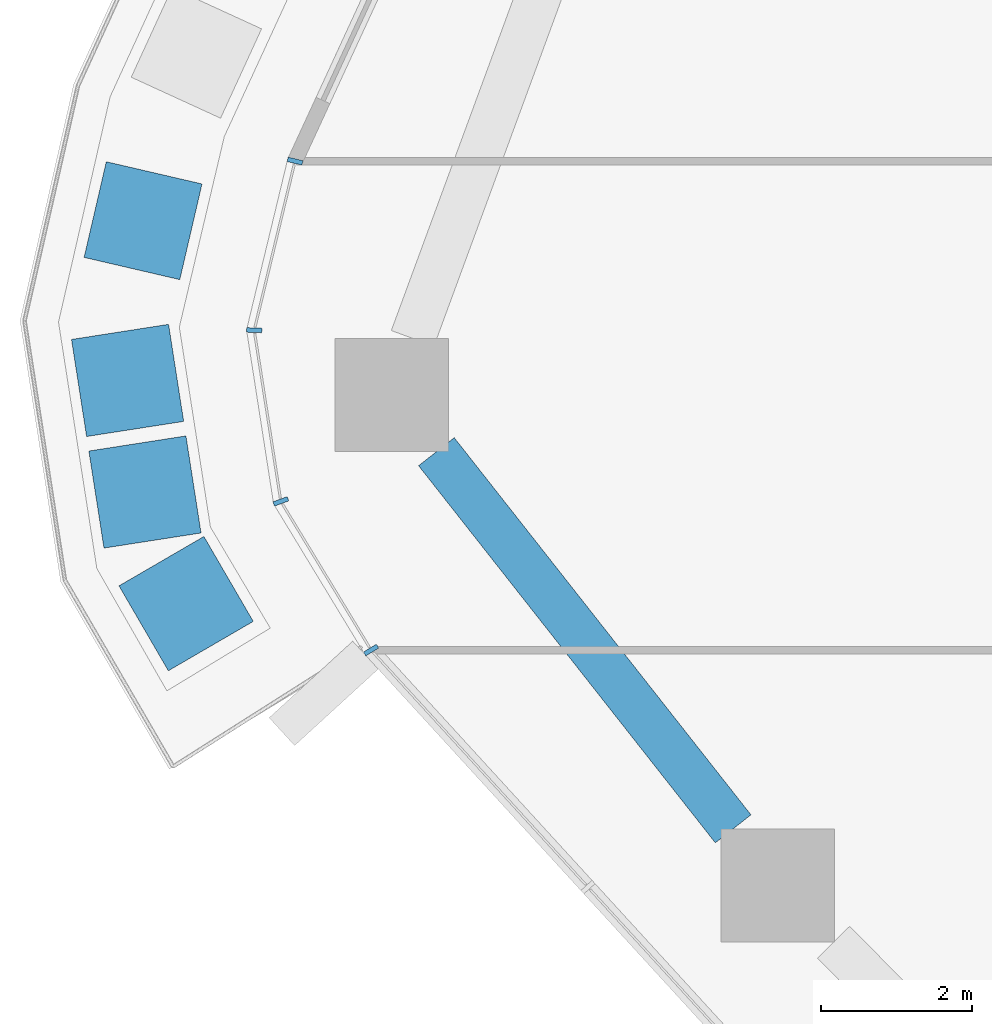
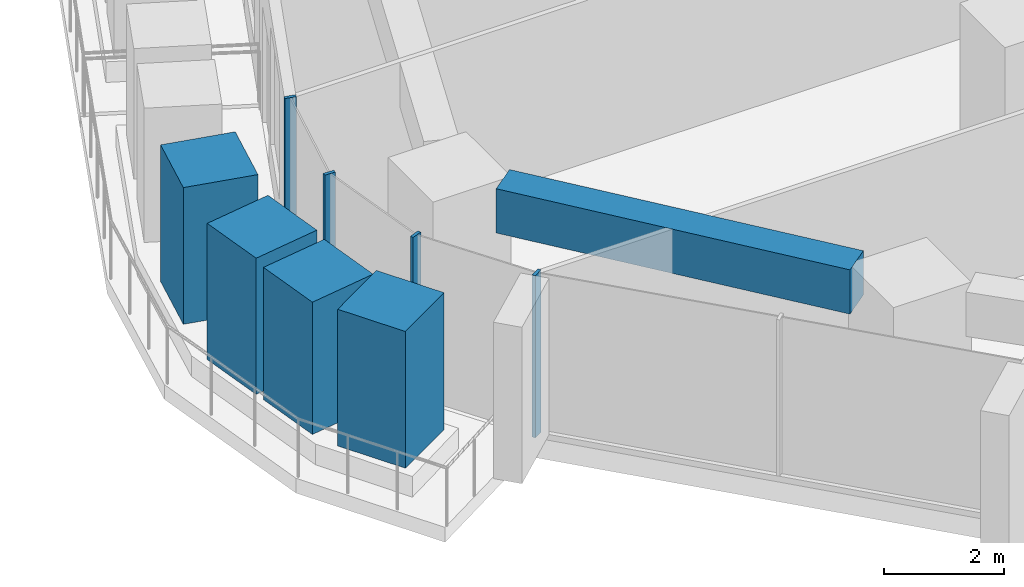
# One storey, part 4 of 27: 8 members, 1 beam, 1 element without a shape of its own.
"""IFC4 building model written with IfcOpenShell, lengths in metres."""

from ifc_helpers import new_model, si_unit, direction, frame, origin, origin_2d, place, context, subcontext, project, spatial, rectangle, extrude, material, layer, layer_set, material_profile, profile_set, type_object, element, aggregate, save


model = new_model("IFC4")

# Units and contexts
model_context = context("Model", 3, precision=1e-05, world=origin(), true_north=direction((0.0, 1.0)))
body_context = subcontext(model_context, "Body", "Model", "MODEL_VIEW")
ifc_project = project(units=[si_unit("LENGTHUNIT", "METRE"), si_unit("AREAUNIT", "SQUARE_METRE"), si_unit("VOLUMEUNIT", "CUBIC_METRE"), si_unit("PLANEANGLEUNIT", "RADIAN"), si_unit("MASSUNIT", "GRAM", prefix="KILO")], contexts=[model_context])

# Site, building, storey
site_placement = place(None, origin())
site = spatial("IfcSite", under=ifc_project, at=site_placement, CompositionType="ELEMENT")
building_placement = place(site_placement, origin())
building = spatial("IfcBuilding", under=site, at=building_placement, Name="Dongbaek Canopy Tower", CompositionType="ELEMENT")
storey_placement = place(building_placement, frame((0.0, 0.0, 55.10009765625)))
storey = spatial("IfcBuildingStorey", under=building, at=storey_placement, Name="L09", CompositionType="ELEMENT", Elevation=55.10009765625)

# Curtain wall, members
ifc_material_1 = material(Name="Aluminium 6063-T6 pale anodised", Category="aluminium")
ifc_layer = layer(ifc_material_1, 0.199951171875)
ifc_layer_set = layer_set([ifc_layer], Name="CW-1 unitised tower curtain wall")
curtain_wall_type = type_object("IfcCurtainWallType", Name="CW-1 unitised tower curtain wall", PredefinedType="NOTDEFINED", material=ifc_layer_set)
curtain_wall_placement = place(storey_placement, origin())
curtain_wall = element("IfcCurtainWall", 1, at=curtain_wall_placement, inside=storey, type_object=curtain_wall_type, Name="CW-1 curtain wall K3.1", PredefinedType="NOTDEFINED")
ifc_material_2 = material(Name="Aluminium 6063-T6 pale anodised", Category="aluminium")
ifc_material_profile_1 = material_profile(ifc_material_2, rectangle(XDim=0.199951171875, YDim=0.06005859375, at=origin_2d()), Name="CW-1 mullion 60 x 200")
ifc_profile_set_1 = profile_set([ifc_material_profile_1], Name="Aluminium 6063-T6 pale anodised")
member_type_1 = type_object("IfcMemberType", Name="CW-1 mullion 60 x 200", PredefinedType="MULLION", material=ifc_profile_set_1)
member_1_placement = place(storey_placement, frame((-38.76953125, -5.028076171875, 0.0), z_axis=(0.0, 0.0, 1.0), x_axis=(-0.972133929843, 0.234426155639, 0.0)))
member_1 = element("IfcMember", 2, at=member_1_placement, type_object=member_type_1, Name="CW-1 mullion K3.1.1", PredefinedType="MULLION", context=body_context, shape_type="SweptSolid", body=[
    extrude(rectangle(XDim=0.199951171875, YDim=0.06005859375, at=origin_2d()), origin(), (0.0, 0.0, 1.0), 3.2998046875),
])
member_2_placement = place(storey_placement, frame((-39.30908203125, -7.265625, 0.0), z_axis=(0.0, 0.0, 1.0), x_axis=(-0.99915466542, 0.041109057021, 0.0)))
member_2 = element("IfcMember", 3, at=member_2_placement, type_object=member_type_1, Name="CW-1 mullion K3.1.2", PredefinedType="MULLION", context=body_context, shape_type="SweptSolid", body=[
    extrude(rectangle(XDim=0.199951171875, YDim=0.06005859375, at=origin_2d()), origin(), (0.0, 0.0, 1.0), 3.2998046875),
])
member_3_placement = place(storey_placement, frame((-38.956787109375, -9.530029296875, 0.0), z_axis=(0.0, 0.0, 1.0), x_axis=(-0.93940887261, -0.342798731126, 0.0)))
member_3 = element("IfcMember", 4, at=member_3_placement, type_object=member_type_1, Name="CW-1 mullion K3.1.3", PredefinedType="MULLION", context=body_context, shape_type="SweptSolid", body=[
    extrude(rectangle(XDim=0.199951171875, YDim=0.06005859375, at=origin_2d()), origin(), (0.0, 0.0, 1.0), 3.2998046875),
])
member_4_placement = place(storey_placement, frame((-37.762939453125, -11.49755859375, 0.0), z_axis=(0.0, 0.0, 1.0), x_axis=(-0.854918755769, -0.518761911703, 0.0)))
member_4 = element("IfcMember", 5, at=member_4_placement, type_object=member_type_1, Name="CW-1 mullion K3.1.4", PredefinedType="MULLION", context=body_context, shape_type="SweptSolid", body=[
    extrude(rectangle(XDim=0.199951171875, YDim=0.06005859375, at=origin_2d()), origin(), (0.0, 0.0, 1.0), 3.2998046875),
])
aggregate(curtain_wall, [member_1, member_2, member_3, member_4])

# Beam
ifc_material_3 = material(Name="Concrete C80", Category="concrete")
ifc_material_profile_2 = material_profile(ifc_material_3, rectangle(XDim=0.60009765625, YDim=0.89990234375, at=origin_2d()), Name="RC EDGE BEAM 600x900 C80")
ifc_profile_set_2 = profile_set([ifc_material_profile_2], Name="Concrete C80")
beam_type = type_object("IfcBeamType", Name="RC EDGE BEAM 600x900 C80", PredefinedType="BEAM", material=ifc_profile_set_2)
beam_placement = place(storey_placement, frame((-32.97216796875, -13.863037109375, 2.849853515625), z_axis=(-0.618386857787, 0.785873841094, 0.0), x_axis=(-0.785873841094, -0.618386857787, 0.0)))
element("IfcBeam", 6, at=beam_placement, inside=storey, type_object=beam_type, Name="EDGEBEAM:L09:07", PredefinedType="BEAM", context=body_context, shape_type="SweptSolid", body=[
    extrude(rectangle(XDim=0.60009765625, YDim=0.89990234375, at=origin_2d()), origin(), (0.0, 0.0, 1.0), 6.349609375),
])

# Members
ifc_material_4 = material(Name="Concrete C40/50 planter mass with planting", Category="concrete")
ifc_material_profile_3 = material_profile(ifc_material_4, rectangle(XDim=1.300048828125, YDim=1.300048828125, at=origin_2d()), Name="Terrace PLANTER shrub mass 1300 x 1300")
ifc_profile_set_3 = profile_set([ifc_material_profile_3], Name="Concrete C40/50 planter mass with planting")
member_type_2 = type_object("IfcMemberType", Name="Terrace PLANTER shrub mass 1300 x 1300", PredefinedType="USERDEFINED", material=ifc_profile_set_3)
member_5_placement = place(storey_placement, frame((-40.7802734375, -5.816162109375, 0.419921875), z_axis=(0.0, 0.0, 1.0), x_axis=(-0.974100975447, 0.226113444169, 0.0)))
element("IfcMember", 7, at=member_5_placement, inside=storey, type_object=member_type_2, Name="Planter shrubs L09 7.3", ObjectType="PLANTER", PredefinedType="USERDEFINED", context=body_context, shape_type="SweptSolid", body=[
    extrude(rectangle(XDim=1.300048828125, YDim=1.300048828125, at=origin_2d()), origin(), (0.0, 0.0, 1.0), 2.780029296875),
])
member_6_placement = place(storey_placement, frame((-40.98486328125, -7.929931640625, 0.419921875), z_axis=(0.0, 0.0, 1.0), x_axis=(-0.988105988848, -0.153774363281, 0.0)))
element("IfcMember", 8, at=member_6_placement, inside=storey, type_object=member_type_2, Name="Planter shrubs L09 7.4", ObjectType="PLANTER", PredefinedType="USERDEFINED", context=body_context, shape_type="SweptSolid", body=[
    extrude(rectangle(XDim=1.300048828125, YDim=1.300048828125, at=origin_2d()), origin(), (0.0, 0.0, 1.0), 2.77001953125),
])
member_7_placement = place(storey_placement, frame((-40.755126953125, -9.40625, 0.419921875), z_axis=(0.0, 0.0, 1.0), x_axis=(-0.988105988848, -0.153774363281, 0.0)))
element("IfcMember", 9, at=member_7_placement, inside=storey, type_object=member_type_2, Name="Planter shrubs L09 7.5", ObjectType="PLANTER", PredefinedType="USERDEFINED", context=body_context, shape_type="SweptSolid", body=[
    extrude(rectangle(XDim=1.300048828125, YDim=1.300048828125, at=origin_2d()), origin(), (0.0, 0.0, 1.0), 2.68994140625),
])
member_8_placement = place(storey_placement, frame((-40.21044921875, -10.88330078125, 0.419921875), z_axis=(0.0, 0.0, 1.0), x_axis=(-0.864535653323, -0.502571491565, 0.0)))
element("IfcMember", 10, at=member_8_placement, inside=storey, type_object=member_type_2, Name="Planter shrubs L09 7.6", ObjectType="PLANTER", PredefinedType="USERDEFINED", context=body_context, shape_type="SweptSolid", body=[
    extrude(rectangle(XDim=1.300048828125, YDim=1.300048828125, at=origin_2d()), origin(), (0.0, 0.0, 1.0), 2.780029296875),
])

save(model, "model.ifc")
